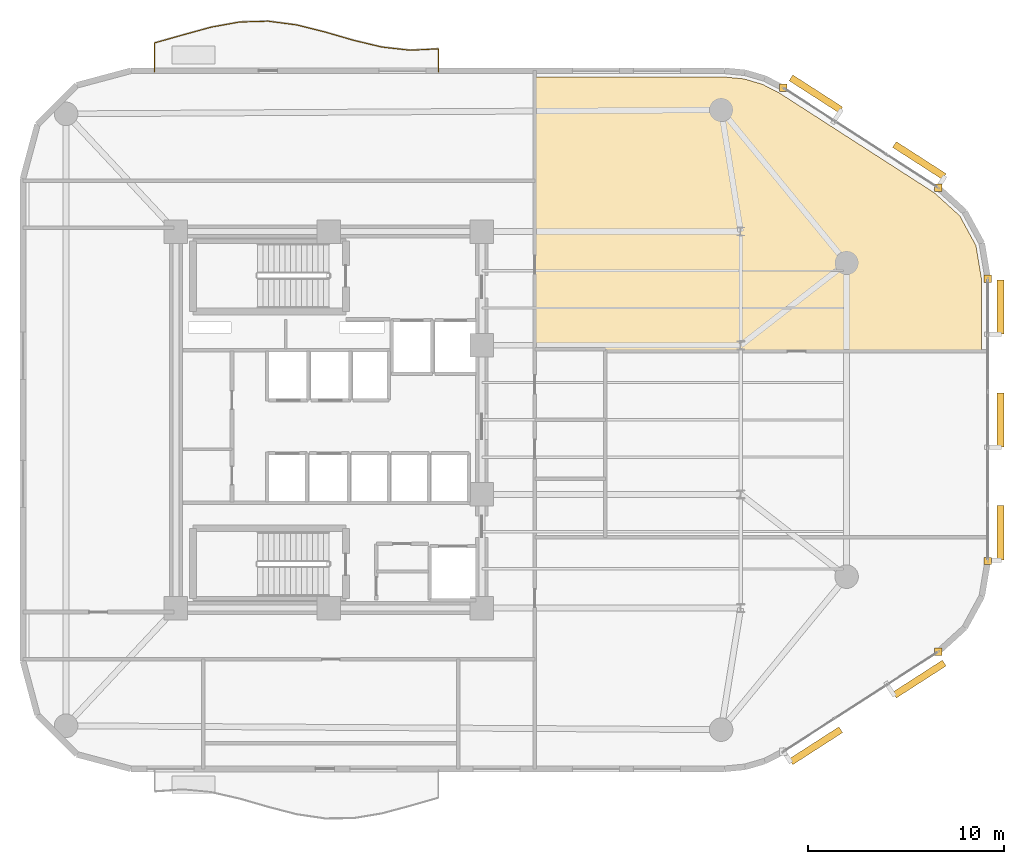
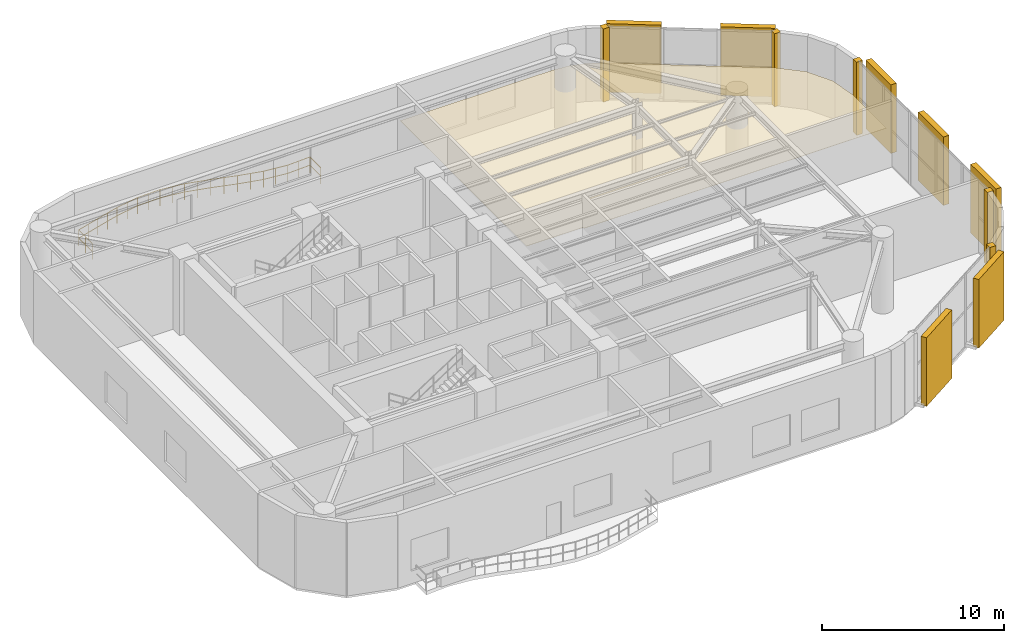
# One storey, part 12 of 12: 7 shading devices, 6 coverings, 1 railing.
"""IFC4 building model written with IfcOpenShell, lengths in metres."""

import ifcopenshell
import ifcopenshell.guid

model = None  # the IFC model being written
_history = None  # IfcOwnerHistory: only IFC2X3 demands one
_inside = {}  # id of a spatial element -> (the spatial element, [elements in it])
_under = {}  # id of a project, library or spatial element -> (it, [spatial elements below it])
_declared = {}  # id of a project -> (the project, [libraries it declares])
_typed = {}  # id of a type object -> (the type object, [elements of that type])
_made_of = {}  # id of a material, layer set ... -> (it, [elements and type objects made of it])


def new_model(schema):
    """Start an empty IFC model of exactly this schema.

    Asked for "IFC4X3", IfcOpenShell would pick the latest addendum, in which some entities
    have other attributes; the version numbers below select the first issue.
    IFC2X3 requires an IfcOwnerHistory on every rooted entity: one is made here for all.
    """
    global model, _history
    if schema == "IFC4X3":
        model = ifcopenshell.file(schema_version=(4, 3, 0, 0))
    else:
        model = ifcopenshell.file(schema=schema)
    _inside.clear()
    _under.clear()
    _declared.clear()
    _typed.clear()
    _made_of.clear()
    _history = None
    if model.schema == "IFC2X3":
        org = make("IfcOrganization", Name="unknown")
        user = make(
            "IfcPersonAndOrganization",
            ThePerson=make("IfcPerson", FamilyName="unknown"),
            TheOrganization=org,
        )
        app = make(
            "IfcApplication",
            ApplicationDeveloper=org,
            Version="unknown",
            ApplicationFullName="unknown",
            ApplicationIdentifier="unknown",
        )
        _history = make(
            "IfcOwnerHistory",
            OwningUser=user,
            OwningApplication=app,
            ChangeAction="ADDED",
            CreationDate=0,
        )
    return model


def make(cls, **values):
    """One entity of the class cls with the attributes given. An attribute that is None is left unset."""
    return model.create_entity(
        cls, **{name: value for name, value in values.items() if value is not None}
    )


def rooted(cls, **values):
    """An entity with a GlobalId (a new one), such as an element, a storey or a relation."""
    return make(cls, GlobalId=ifcopenshell.guid.new(), OwnerHistory=_history, **values)


def si_unit(unit_type, name, prefix=None):
    """IfcSIUnit, for example si_unit("LENGTHUNIT", "METRE", prefix="MILLI")."""
    return make("IfcSIUnit", UnitType=unit_type, Prefix=prefix, Name=name)


def assignment(units):
    """IfcUnitAssignment: the units of a project."""
    return None if units is None else make("IfcUnitAssignment", Units=units)


def point(xyz):
    """IfcCartesianPoint."""
    return None if xyz is None else make("IfcCartesianPoint", Coordinates=xyz)


def direction(xyz):
    """IfcDirection."""
    return None if xyz is None else make("IfcDirection", DirectionRatios=xyz)


def frame(location, z_axis=None, x_axis=None):
    """IfcAxis2Placement3D, a coordinate frame: its origin and axes. An axis left out is left unset."""
    return make(
        "IfcAxis2Placement3D",
        Location=point(location),
        Axis=direction(z_axis),
        RefDirection=direction(x_axis),
    )


def frame_2d(location, x_axis=None):
    """IfcAxis2Placement2D, a coordinate frame in the plane: its origin and x axis."""
    return make(
        "IfcAxis2Placement2D", Location=point(location), RefDirection=direction(x_axis)
    )


def origin():
    """The frame at (0, 0, 0) with its axes left unset."""
    return frame((0.0, 0.0, 0.0))


def origin_2d():
    """The frame at (0, 0) in the plane with its x axis left unset."""
    return frame_2d((0.0, 0.0))


def place(relative_to, where):
    """IfcLocalPlacement: puts the frame where relative to a parent placement (None: the world)."""
    return make(
        "IfcLocalPlacement", PlacementRelTo=relative_to, RelativePlacement=where
    )


def context(
    kind, dimensions, precision=None, world=None, true_north=None, identifier=None
):
    """IfcGeometricRepresentationContext, for example the 3D "Model" context."""
    return make(
        "IfcGeometricRepresentationContext",
        ContextIdentifier=identifier,
        ContextType=kind,
        CoordinateSpaceDimension=dimensions,
        Precision=precision,
        WorldCoordinateSystem=world,
        TrueNorth=true_north,
    )


def subcontext(parent, identifier, kind, view, scale=None):
    """IfcGeometricRepresentationSubContext, for example "Body" below "Model"."""
    return make(
        "IfcGeometricRepresentationSubContext",
        ContextIdentifier=identifier,
        ContextType=kind,
        ParentContext=parent,
        TargetScale=scale,
        TargetView=view,
    )


def project(units=None, contexts=None):
    """IfcProject with its units and contexts."""
    return rooted(
        "IfcProject",
        Name="project",
        RepresentationContexts=contexts,
        UnitsInContext=assignment(units),
    )


def spatial(cls, under=None, at=None, **own):
    """A site, building, storey or space (cls), placed at a placement, below another one or the project."""
    s = rooted(cls, ObjectPlacement=at, **own)
    if under is not None:
        _under.setdefault(under.id(), (under, []))[1].append(s)
    return s


def polyline(points):
    """IfcPolyline through the points."""
    return make("IfcPolyline", Points=[point(p) for p in points])


def profile(cls, at=None, kind="AREA", **sizes):
    """A parametric profile (cls). Its sizes go by their IFC names, for example OverallWidth=200.0."""
    return make(cls, ProfileType=kind, Position=at, **sizes)


def rectangle(**sizes):
    """IfcRectangleProfileDef."""
    return profile("IfcRectangleProfileDef", **sizes)


def circle(**sizes):
    """IfcCircleProfileDef."""
    return profile("IfcCircleProfileDef", **sizes)


def outline(outer, holes=None, kind="AREA"):
    """IfcArbitraryClosedProfileDef: a profile drawn as a closed curve; with holes, ...WithVoids."""
    if holes is None:
        return make("IfcArbitraryClosedProfileDef", ProfileType=kind, OuterCurve=outer)
    return make(
        "IfcArbitraryProfileDefWithVoids",
        ProfileType=kind,
        OuterCurve=outer,
        InnerCurves=holes,
    )


def extrude(swept, where, along, depth):
    """IfcExtrudedAreaSolid: the profile swept, set in the frame where, extruded along a direction by depth."""
    return make(
        "IfcExtrudedAreaSolid",
        SweptArea=swept,
        Position=where,
        ExtrudedDirection=direction(along),
        Depth=depth,
    )


def shape(context_of_items, identifier, shape_type, items):
    """IfcShapeRepresentation: the items that make up one representation, for example the "Body"."""
    return make(
        "IfcShapeRepresentation",
        ContextOfItems=context_of_items,
        RepresentationIdentifier=identifier,
        RepresentationType=shape_type,
        Items=items,
    )


def material(Name=None, Category=None):
    """IfcMaterial."""
    return make("IfcMaterial", Name=Name, Category=Category)


def layer(
    of_material, thickness, ventilated=None, Name=None, Category=None, Priority=None
):
    """IfcMaterialLayer: one layer of a wall or slab, of a material (None: an air gap)."""
    return make(
        "IfcMaterialLayer",
        Material=of_material,
        LayerThickness=thickness,
        IsVentilated=ventilated,
        Name=Name,
        Category=Category,
        Priority=Priority,
    )


def layer_set(layers, Name=None):
    """IfcMaterialLayerSet."""
    return make("IfcMaterialLayerSet", MaterialLayers=layers, LayerSetName=Name)


def made_of(thing, what):
    """Note that an element or type object is made of a material, layer set ...; save() writes the relation."""
    if what is not None:
        _made_of.setdefault(what.id(), (what, []))[1].append(thing)
    return thing


def type_object(cls, material=None, **own):
    """A type object (cls), such as IfcWallType, which elements share."""
    return made_of(rooted(cls, **own), material)


def element(
    cls,
    number,
    at=None,
    inside=None,
    cuts=None,
    type_object=None,
    material=None,
    context=None,
    identifier="Body",
    shape_type=None,
    held_by="IfcProductDefinitionShape",
    body=None,
    shapes=None,
    **own,
):
    """One element of the class cls, such as IfcWall. Its Tag is "e" and its number.

    at: its placement. inside: the storey or other place that contains it. cuts: it is an
    opening in that element (IfcRelVoidsElement). A single representation is given by context,
    identifier, shape_type and body (its items); several are given by shapes. held_by: the class
    of the entity that holds the representations. save() writes the other relations.
    """
    e = rooted(cls, Tag="e%d" % number, ObjectPlacement=at, **own)
    if body is not None:
        shapes = [shape(context, identifier, shape_type, body)]
    if shapes is not None:
        e.Representation = make(held_by, Representations=shapes)
    if inside is not None:
        _inside.setdefault(inside.id(), (inside, []))[1].append(e)
    if cuts is not None:
        rooted(
            "IfcRelVoidsElement", RelatingBuildingElement=cuts, RelatedOpeningElement=e
        )
    if type_object is not None:
        _typed.setdefault(type_object.id(), (type_object, []))[1].append(e)
    return made_of(e, material)


def aggregate(whole, parts):
    """IfcRelAggregates: a whole, such as a stair, and the parts it consists of."""
    return rooted("IfcRelAggregates", RelatingObject=whole, RelatedObjects=parts)


def save(model, path):
    """Write the relations noted so far, then the file.

    IfcRelAggregates (storeys below a building ...), IfcRelContainedInSpatialStructure (elements
    in a storey), IfcRelDefinesByType, IfcRelAssociatesMaterial and IfcRelDeclares: one each for
    every whole, place, type object, material and project.
    """
    for whole, parts in _under.values():
        aggregate(whole, parts)
    for where, things in _inside.values():
        rooted(
            "IfcRelContainedInSpatialStructure",
            RelatedElements=things,
            RelatingStructure=where,
        )
    for kind, things in _typed.values():
        rooted("IfcRelDefinesByType", RelatedObjects=things, RelatingType=kind)
    for what, things in _made_of.values():
        rooted("IfcRelAssociatesMaterial", RelatedObjects=things, RelatingMaterial=what)
    for by, libraries in _declared.values():
        rooted("IfcRelDeclares", RelatingContext=by, RelatedDefinitions=libraries)
    model.write(path)


model = new_model("IFC4")

# Units and contexts
model_context = context("Model", 3, precision=1e-05, world=origin(), true_north=direction((0.0, 1.0)))
body_context = subcontext(model_context, "Body", "Model", "MODEL_VIEW")
ifc_project = project(units=[si_unit("LENGTHUNIT", "METRE"), si_unit("AREAUNIT", "SQUARE_METRE"), si_unit("VOLUMEUNIT", "CUBIC_METRE"), si_unit("PLANEANGLEUNIT", "RADIAN"), si_unit("MASSUNIT", "GRAM", prefix="KILO")], contexts=[model_context])

# Site, building, storey
site_placement = place(None, origin())
site = spatial("IfcSite", under=ifc_project, at=site_placement, CompositionType="ELEMENT")
building_placement = place(site_placement, origin())
building = spatial("IfcBuilding", under=site, at=building_placement, Name="An Khanh Terracotta Commons", CompositionType="ELEMENT")
storey_placement = place(building_placement, frame((0.0, 0.0, 138.699951171875)))
storey = spatial("IfcBuildingStorey", under=building, at=storey_placement, Name="L36", CompositionType="ELEMENT", Elevation=138.699951171875)

# Coverings
ifc_material_1 = material(Name="Perforated Mineral-Fibre Acoustic Tile")
ifc_layer_1 = layer(ifc_material_1, 0.02001953125, Name="Perforated Mineral-Fibre Acoustic Tile")
ifc_layer_set_1 = layer_set([ifc_layer_1], Name="Perforated Mineral-Fibre Acoustic Tile")
covering_type_1 = type_object("IfcCoveringType", Name="CEIL-ACOUSTIC-18", PredefinedType="CEILING", material=ifc_layer_set_1)
covering_placement = place(storey_placement, frame((0.0, 0.0, 2.650146484375)))
element("IfcCovering", 1, at=covering_placement, inside=storey, type_object=covering_type_1, Name="L36 Sky Panorama Study Hall Ceiling", PredefinedType="CEILING", context=body_context, shape_type="SweptSolid", body=[
    extrude(outline(polyline([(49.56689453125, 41.47998046875), (50.56396484375, 41.384033203125), (51.510009765625, 41.10693359375), (52.39892578125, 40.64697265625), (60.281982421875, 35.569091796875), (61.571044921875, 34.39697265625), (62.39111328125, 32.89111328125), (62.679931640625, 31.173095703125), (62.679931640625, 27.5), (43.5, 27.5), (43.5, 27.60009765625), (39.89990234375, 27.60009765625), (39.89990234375, 33.800048828125), (39.89990234375, 35.800048828125), (39.89990234375, 36.199951171875), (39.89990234375, 41.47998046875), (49.56689453125, 41.47998046875)])), origin(), (0.0, 0.0, 1.0), 0.02001953125),
])
ifc_material_2 = material(Name="Fired Terracotta Rainscreen Cladding", Category="masonry")
ifc_layer_2 = layer(ifc_material_2, 0.080078125, Name="Fired Terracotta Rainscreen Cladding")
ifc_layer_set_2 = layer_set([ifc_layer_2], Name="Fired Terracotta Rainscreen Cladding")
covering_type_2 = type_object("IfcCoveringType", Name="COV-JAMB-TERRA", PredefinedType="CLADDING", material=ifc_layer_set_2)
for number, where, z_axis, x_axis, name in (
    (2, (60.47802734375, 12.176025390625, 0.0), (0.0, 0.0, 1.0), (1.0, 0.0, 0.0), "L36 CW-04 Curtain-Wall Jamb Closure JB"),
    (3, (63.0, 16.800048828125, 0.0), (0.0, 0.0, 1.0), (1.0, 0.0, 0.0), "L36 CW-04 Curtain-Wall Jamb Closure JA"),
    (4, (63.0, 31.199951171875, 0.0), (0.0, 0.0, 1.0), (1.0, 0.0, 0.0), "L36 CW-04 Curtain-Wall Jamb Closure JB"),
    (5, (60.47802734375, 35.823974609375, 0.0), (0.0, 0.0, 1.0), (1.0, 0.0, 0.0), "L36 CW-04 Curtain-Wall Jamb Closure JA"),
    (6, (52.56005859375, 40.924072265625, 0.0), (0.0, 0.0, 1.0), (1.0, 0.0, 0.0), "L36 CW-04 Curtain-Wall Jamb Closure JB"),
):
    element("IfcCovering", number, at=place(storey_placement, frame(where, z_axis=z_axis, x_axis=x_axis)), inside=storey, type_object=covering_type_2, Name=name, PredefinedType="CLADDING", context=body_context, shape_type="SweptSolid", body=[
        extrude(rectangle(XDim=0.3798828125, YDim=0.3798828125, at=origin_2d()), origin(), (0.0, 0.0, 1.0), 4.89990234375),
    ])

# Railing
ifc_material_3 = material(Name="Brushed Stainless Steel 316", Category="steel")
railing_type = type_object("IfcRailingType", Name="RAIL-BALUSTRADE-1100", PredefinedType="BALUSTRADE", material=ifc_material_3)
railing_placement = place(storey_placement, frame((35.0, 41.739990234375, 0.0)))
element("IfcRailing", 7, at=railing_placement, inside=storey, type_object=railing_type, Name="L36 N Wave Balcony Guard Balustrade", PredefinedType="BALUSTRADE", context=body_context, shape_type="SweptSolid", body=[
    extrude(circle(Radius=0.02392578125, at=origin_2d()), frame((0.0, 0.0, 1.076171875), z_axis=(0.0, 1.0, 0.0), x_axis=(-1.0, 0.0, 0.0)), (0.0, 0.0, 1.0), 1.177001953125),
    extrude(circle(Radius=0.02392578125, at=origin_2d()), frame((0.0, 0.0, 0.52587890625), z_axis=(0.0, 1.0, 0.0), x_axis=(-1.0, 0.0, 0.0)), (0.0, 0.0, 1.0), 1.177001953125),
    extrude(circle(Radius=0.02392578125, at=origin_2d()), frame((0.0, 1.177001953125, 1.076171875), z_axis=(-0.998768641109, -0.049610498253, 0.0), x_axis=(0.049610498253, -0.998768641109, 0.0)), (0.0, 0.0, 1.0), 1.45166015625),
    extrude(circle(Radius=0.02392578125, at=origin_2d()), frame((0.0, 1.177001953125, 0.52587890625), z_axis=(-0.998768641109, -0.049610498253, 0.0), x_axis=(0.049610498253, -0.998768641109, 0.0)), (0.0, 0.0, 1.0), 1.45166015625),
    extrude(circle(Radius=0.02392578125, at=origin_2d()), frame((-1.449951171875, 1.10498046875, 1.076171875), z_axis=(-0.993807997131, 0.11111104733, 0.0), x_axis=(-0.11111104733, -0.993807997131, 0.0)), (0.0, 0.0, 1.0), 1.458984375),
    extrude(circle(Radius=0.02392578125, at=origin_2d()), frame((-1.449951171875, 1.10498046875, 0.52587890625), z_axis=(-0.993807997131, 0.11111104733, 0.0), x_axis=(-0.11111104733, -0.993807997131, 0.0)), (0.0, 0.0, 1.0), 1.458984375),
    extrude(circle(Radius=0.02392578125, at=origin_2d()), frame((-2.89990234375, 1.26708984375, 1.076171875), z_axis=(-0.97255795483, 0.2326607498, 0.0), x_axis=(-0.2326607498, -0.97255795483, 0.0)), (0.0, 0.0, 1.0), 1.4912109375),
    extrude(circle(Radius=0.02392578125, at=origin_2d()), frame((-2.89990234375, 1.26708984375, 0.52587890625), z_axis=(-0.97255795483, 0.2326607498, 0.0), x_axis=(-0.2326607498, -0.97255795483, 0.0)), (0.0, 0.0, 1.0), 1.4912109375),
    extrude(circle(Radius=0.02392578125, at=origin_2d()), frame((-4.35009765625, 1.614013671875, 1.076171875), z_axis=(-0.960356002851, 0.278776519434, 0.0), x_axis=(-0.278776519434, -0.960356002851, 0.0)), (0.0, 0.0, 1.0), 1.509765625),
    extrude(circle(Radius=0.02392578125, at=origin_2d()), frame((-4.35009765625, 1.614013671875, 0.52587890625), z_axis=(-0.960356002851, 0.278776519434, 0.0), x_axis=(-0.278776519434, -0.960356002851, 0.0)), (0.0, 0.0, 1.0), 1.509765625),
    extrude(circle(Radius=0.02392578125, at=origin_2d()), frame((-5.800048828125, 2.034912109375, 1.076171875), z_axis=(-0.970209729733, 0.242266548105, 0.0), x_axis=(-0.242266548105, -0.970209729733, 0.0)), (0.0, 0.0, 1.0), 1.494384765625),
    extrude(circle(Radius=0.02392578125, at=origin_2d()), frame((-5.800048828125, 2.034912109375, 0.52587890625), z_axis=(-0.970209729733, 0.242266548105, 0.0), x_axis=(-0.242266548105, -0.970209729733, 0.0)), (0.0, 0.0, 1.0), 1.494384765625),
    extrude(circle(Radius=0.02392578125, at=origin_2d()), frame((-7.25, 2.39697265625, 1.076171875), z_axis=(-0.991528574992, 0.129888740755, 0.0), x_axis=(-0.129888740755, -0.991528574992, 0.0)), (0.0, 0.0, 1.0), 1.46240234375),
    extrude(circle(Radius=0.02392578125, at=origin_2d()), frame((-7.25, 2.39697265625, 0.52587890625), z_axis=(-0.991528574992, 0.129888740755, 0.0), x_axis=(-0.129888740755, -0.991528574992, 0.0)), (0.0, 0.0, 1.0), 1.46240234375),
    extrude(circle(Radius=0.02392578125, at=origin_2d()), frame((-8.699951171875, 2.5869140625, 1.076171875), z_axis=(-0.999580890837, -0.028948966699, 0.0), x_axis=(0.028948966699, -0.999580890837, 0.0)), (0.0, 0.0, 1.0), 1.450439453125),
    extrude(circle(Radius=0.02392578125, at=origin_2d()), frame((-8.699951171875, 2.5869140625, 0.52587890625), z_axis=(-0.999580890837, -0.028948966699, 0.0), x_axis=(0.028948966699, -0.999580890837, 0.0)), (0.0, 0.0, 1.0), 1.450439453125),
    extrude(circle(Radius=0.02392578125, at=origin_2d()), frame((-10.14990234375, 2.544921875, 1.076171875), z_axis=(-0.984073373792, -0.177762749172, 0.0), x_axis=(0.177762749172, -0.984073373792, 0.0)), (0.0, 0.0, 1.0), 1.4736328125),
    extrude(circle(Radius=0.02392578125, at=origin_2d()), frame((-10.14990234375, 2.544921875, 0.52587890625), z_axis=(-0.984073373792, -0.177762749172, 0.0), x_axis=(0.177762749172, -0.984073373792, 0.0)), (0.0, 0.0, 1.0), 1.4736328125),
    extrude(circle(Radius=0.02392578125, at=origin_2d()), frame((-11.60009765625, 2.282958984375, 1.076171875), z_axis=(-0.964173218361, -0.265273453242, 0.0), x_axis=(0.265273453242, -0.964173218361, 0.0)), (0.0, 0.0, 1.0), 1.50390625),
    extrude(circle(Radius=0.02392578125, at=origin_2d()), frame((-11.60009765625, 2.282958984375, 0.52587890625), z_axis=(-0.964173218361, -0.265273453242, 0.0), x_axis=(0.265273453242, -0.964173218361, 0.0)), (0.0, 0.0, 1.0), 1.50390625),
    extrude(circle(Radius=0.02392578125, at=origin_2d()), frame((-13.050048828125, 1.884033203125, 1.076171875), z_axis=(-0.962454018427, -0.271444768625, 0.0), x_axis=(0.271444768625, -0.962454018427, 0.0)), (0.0, 0.0, 1.0), 1.506591796875),
    extrude(circle(Radius=0.02392578125, at=origin_2d()), frame((-13.050048828125, 1.884033203125, 0.52587890625), z_axis=(-0.962454018427, -0.271444768625, 0.0), x_axis=(0.271444768625, -0.962454018427, 0.0)), (0.0, 0.0, 1.0), 1.506591796875),
    extrude(circle(Radius=0.02392578125, at=origin_2d()), frame((-14.5, 1.47509765625, 1.076171875), z_axis=(0.0, -1.0, 0.0), x_axis=(1.0, 0.0, 0.0)), (0.0, 0.0, 1.0), 1.47509765625),
    extrude(circle(Radius=0.02392578125, at=origin_2d()), frame((-14.5, 1.47509765625, 0.52587890625), z_axis=(0.0, -1.0, 0.0), x_axis=(1.0, 0.0, 0.0)), (0.0, 0.0, 1.0), 1.47509765625),
    extrude(circle(Radius=0.02099609375, at=origin_2d()), origin(), (0.0, 0.0, 1.0), 1.052001953125),
    extrude(circle(Radius=0.02099609375, at=origin_2d()), frame((0.0, 1.177001953125, 0.0)), (0.0, 0.0, 1.0), 1.052001953125),
    extrude(circle(Radius=0.02099609375, at=origin_2d()), frame((-0.72509765625, 1.14111328125, 0.0)), (0.0, 0.0, 1.0), 1.052001953125),
    extrude(circle(Radius=0.02099609375, at=origin_2d()), frame((-1.449951171875, 1.10498046875, 0.0)), (0.0, 0.0, 1.0), 1.052001953125),
    extrude(circle(Radius=0.02099609375, at=origin_2d()), frame((-2.1748046875, 1.18603515625, 0.0)), (0.0, 0.0, 1.0), 1.052001953125),
    extrude(circle(Radius=0.02099609375, at=origin_2d()), frame((-2.89990234375, 1.26708984375, 0.0)), (0.0, 0.0, 1.0), 1.052001953125),
    extrude(circle(Radius=0.02099609375, at=origin_2d()), frame((-3.625, 1.4404296875, 0.0)), (0.0, 0.0, 1.0), 1.052001953125),
    extrude(circle(Radius=0.02099609375, at=origin_2d()), frame((-4.35009765625, 1.614013671875, 0.0)), (0.0, 0.0, 1.0), 1.052001953125),
    extrude(circle(Radius=0.02099609375, at=origin_2d()), frame((-5.0751953125, 1.824462890625, 0.0)), (0.0, 0.0, 1.0), 1.052001953125),
    extrude(circle(Radius=0.02099609375, at=origin_2d()), frame((-5.800048828125, 2.034912109375, 0.0)), (0.0, 0.0, 1.0), 1.052001953125),
    extrude(circle(Radius=0.02099609375, at=origin_2d()), frame((-6.52490234375, 2.2158203125, 0.0)), (0.0, 0.0, 1.0), 1.052001953125),
    extrude(circle(Radius=0.02099609375, at=origin_2d()), frame((-7.25, 2.39697265625, 0.0)), (0.0, 0.0, 1.0), 1.052001953125),
    extrude(circle(Radius=0.02099609375, at=origin_2d()), frame((-7.97509765625, 2.491943359375, 0.0)), (0.0, 0.0, 1.0), 1.052001953125),
    extrude(circle(Radius=0.02099609375, at=origin_2d()), frame((-8.699951171875, 2.5869140625, 0.0)), (0.0, 0.0, 1.0), 1.052001953125),
    extrude(circle(Radius=0.02099609375, at=origin_2d()), frame((-9.4248046875, 2.56591796875, 0.0)), (0.0, 0.0, 1.0), 1.052001953125),
    extrude(circle(Radius=0.02099609375, at=origin_2d()), frame((-10.14990234375, 2.544921875, 0.0)), (0.0, 0.0, 1.0), 1.052001953125),
    extrude(circle(Radius=0.02099609375, at=origin_2d()), frame((-10.875, 2.4140625, 0.0)), (0.0, 0.0, 1.0), 1.052001953125),
    extrude(circle(Radius=0.02099609375, at=origin_2d()), frame((-11.60009765625, 2.282958984375, 0.0)), (0.0, 0.0, 1.0), 1.052001953125),
    extrude(circle(Radius=0.02099609375, at=origin_2d()), frame((-12.3251953125, 2.08349609375, 0.0)), (0.0, 0.0, 1.0), 1.052001953125),
    extrude(circle(Radius=0.02099609375, at=origin_2d()), frame((-13.050048828125, 1.884033203125, 0.0)), (0.0, 0.0, 1.0), 1.052001953125),
    extrude(circle(Radius=0.02099609375, at=origin_2d()), frame((-13.77490234375, 1.6796875, 0.0)), (0.0, 0.0, 1.0), 1.052001953125),
    extrude(circle(Radius=0.02099609375, at=origin_2d()), frame((-14.5, 1.47509765625, 0.0)), (0.0, 0.0, 1.0), 1.052001953125),
    extrude(circle(Radius=0.02099609375, at=origin_2d()), frame((-14.5, 0.737548828125, 0.0)), (0.0, 0.0, 1.0), 1.052001953125),
    extrude(circle(Radius=0.02099609375, at=origin_2d()), frame((-14.5, 0.0, 0.0)), (0.0, 0.0, 1.0), 1.052001953125),
])

# Shading devices
ifc_material_4 = material(Name="Extruded Fired Terracotta", Category="masonry")
shading_device_type = type_object("IfcShadingDeviceType", Name="Terracotta Baguette Screen Assembly", PredefinedType="USERDEFINED", material=ifc_material_4)
for number, where, z_axis, x_axis, name in (
    (8, (54.23193359375, 7.3798828125, 0.14990234375), (0.0, 0.0, 1.0), (0.840702081986, 0.541497931062, 0.0), "L36 Terracotta Baguette Screen 1"),
    (9, (59.510009765625, 10.780029296875, 0.14990234375), (0.0, 0.0, 1.0), (0.840702081986, 0.541497931062, 0.0), "L36 Terracotta Baguette Screen 3"),
):
    element("IfcShadingDevice", number, at=place(storey_placement, frame(where, z_axis=z_axis, x_axis=x_axis)), inside=storey, type_object=shading_device_type, Name=name, ObjectType="BAGUETTE", PredefinedType="USERDEFINED", context=body_context, shape_type="SweptSolid", body=[
        extrude(rectangle(XDim=3.01904296875, YDim=0.35009765625, at=origin_2d()), origin(), (0.0, 0.0, 1.0), 4.60009765625),
    ])
for number, where, z_axis, x_axis, name in (
    (10, (63.64990234375, 18.239990234375, 0.14990234375), (0.0, 0.0, 1.0), (0.0, 1.0, 0.0), "L36 Terracotta Baguette Screen 1"),
    (11, (63.64990234375, 24.0, 0.14990234375), (0.0, 0.0, 1.0), (0.0, 1.0, 0.0), "L36 Terracotta Baguette Screen 3"),
    (12, (63.64990234375, 29.760009765625, 0.14990234375), (0.0, 0.0, 1.0), (0.0, 1.0, 0.0), "L36 Terracotta Baguette Screen 5"),
):
    element("IfcShadingDevice", number, at=place(storey_placement, frame(where, z_axis=z_axis, x_axis=x_axis)), inside=storey, type_object=shading_device_type, Name=name, ObjectType="BAGUETTE", PredefinedType="USERDEFINED", context=body_context, shape_type="SweptSolid", body=[
        extrude(rectangle(XDim=2.760009765625, YDim=0.35009765625, at=origin_2d()), origin(), (0.0, 0.0, 1.0), 4.60009765625),
    ])
for number, where, z_axis, x_axis, name in (
    (13, (59.510009765625, 37.219970703125, 0.14990234375), (0.0, 0.0, 1.0), (-0.840702081986, 0.541497931062, 0.0), "L36 Terracotta Baguette Screen 1"),
    (14, (54.23193359375, 40.6201171875, 0.14990234375), (0.0, 0.0, 1.0), (-0.840702081986, 0.541497931062, 0.0), "L36 Terracotta Baguette Screen 3"),
):
    element("IfcShadingDevice", number, at=place(storey_placement, frame(where, z_axis=z_axis, x_axis=x_axis)), inside=storey, type_object=shading_device_type, Name=name, ObjectType="BAGUETTE", PredefinedType="USERDEFINED", context=body_context, shape_type="SweptSolid", body=[
        extrude(rectangle(XDim=3.01904296875, YDim=0.35009765625, at=origin_2d()), origin(), (0.0, 0.0, 1.0), 4.60009765625),
    ])

save(model, "model.ifc")
